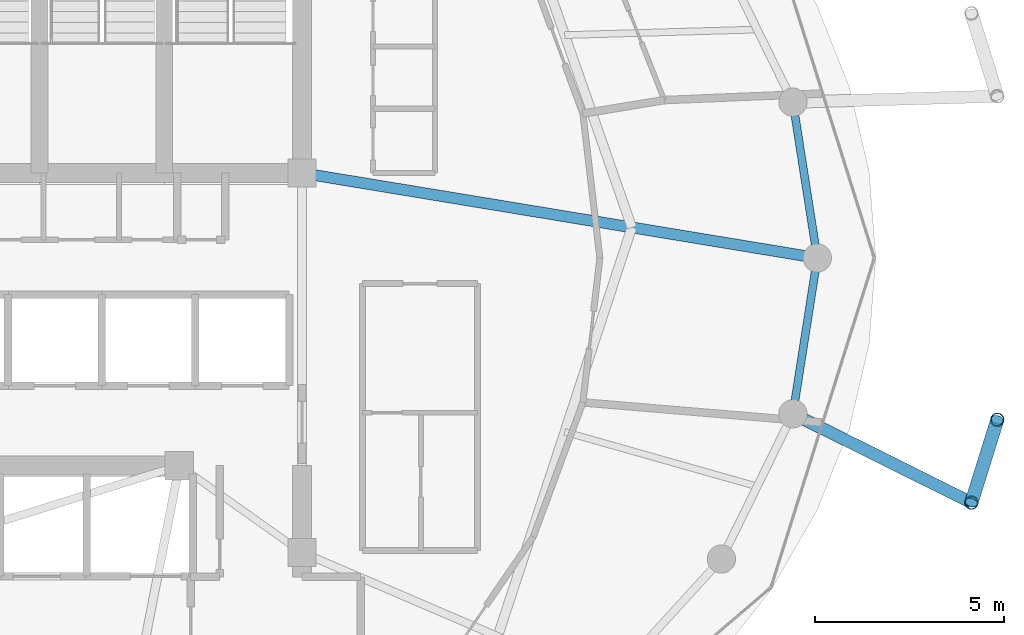
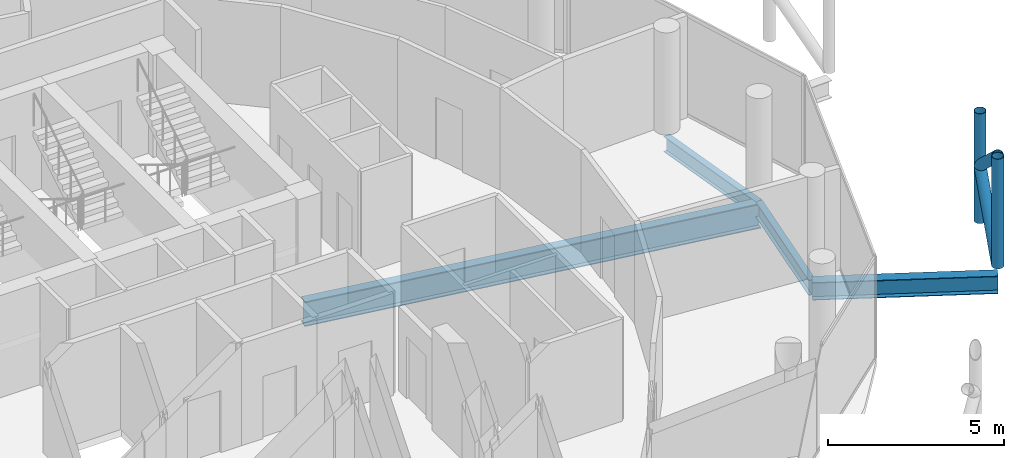
# One storey, part 11 of 24: 4 beams, 4 members.
"""IFC4 building model written with IfcOpenShell, lengths in metres."""

from ifc_helpers import new_model, si_unit, direction, frame, origin, origin_2d, place, context, subcontext, project, spatial, hollow_circle, i_section, extrude, material, material_profile, profile_set, type_object, element, save


model = new_model("IFC4")

# Units and contexts
model_context = context("Model", 3, precision=1e-05, world=origin(), true_north=direction((0.0, 1.0)))
body_context = subcontext(model_context, "Body", "Model", "MODEL_VIEW")
ifc_project = project(units=[si_unit("LENGTHUNIT", "METRE"), si_unit("AREAUNIT", "SQUARE_METRE"), si_unit("VOLUMEUNIT", "CUBIC_METRE"), si_unit("PLANEANGLEUNIT", "RADIAN"), si_unit("MASSUNIT", "GRAM", prefix="KILO")], contexts=[model_context])

# Site, building, storey
site_placement = place(None, origin())
site = spatial("IfcSite", under=ifc_project, at=site_placement, CompositionType="ELEMENT")
building_placement = place(site_placement, origin())
building = spatial("IfcBuilding", under=site, at=building_placement, Name="Nuhasar Tower", CompositionType="ELEMENT")
storey_placement = place(building_placement, frame((0.0, 0.0, 289.800048828125)))
storey = spatial("IfcBuildingStorey", under=building, at=storey_placement, Name="L72", CompositionType="ELEMENT", Elevation=289.800048828125)

# Beams
ifc_material_1 = material(Name="Steel S355", Category="steel")
ifc_material_profile_1 = material_profile(ifc_material_1, i_section(OverallWidth=0.2919921875, OverallDepth=0.85888671875, WebThickness=0.01708984375, FlangeThickness=0.031005859375, at=origin_2d()), Name="W33X169")
ifc_profile_set_1 = profile_set([ifc_material_profile_1], Name="Steel S355")
beam_type_1 = type_object("IfcBeamType", Name="BM-POD-W33X169", PredefinedType="BEAM", material=ifc_profile_set_1)
beam_1_placement = place(storey_placement, frame((44.300048828125, 29.050048828125, -0.68896484375), z_axis=(0.986685215874, -0.162641583786, 0.0), x_axis=(0.162641583786, 0.986685215874, 0.0)))
element("IfcBeam", 1, at=beam_1_placement, inside=storey, type_object=beam_type_1, Name="L72 Radial Floor Girder 04", PredefinedType="BEAM", context=body_context, shape_type="SweptSolid", body=[
    extrude(i_section(OverallWidth=0.2919921875, OverallDepth=0.85888671875, WebThickness=0.01708984375, FlangeThickness=0.031005859375, at=origin_2d()), origin(), (0.0, 0.0, 1.0), 13.833984375),
])
ifc_material_profile_2 = material_profile(ifc_material_1, i_section(OverallWidth=0.2099609375, OverallDepth=0.537109375, WebThickness=0.010986328125, FlangeThickness=0.017333984375, at=origin_2d()), Name="W21X68")
ifc_profile_set_2 = profile_set([ifc_material_profile_2], Name="Steel S355")
beam_type_2 = type_object("IfcBeamType", Name="BM-RING-W21X68", PredefinedType="SPANDREL", material=ifc_profile_set_2)
for number, where, z_axis, x_axis, name in (
    (2, (57.949951171875, 26.800048828125, -0.528076171875), (-0.154612165232, 0.987975241776, 0.0), (-0.987975241776, -0.154612165232, 0.0), "L72 Perimeter Ring Spandrel 01"),
    (3, (57.303955078125, 22.672119140625, -0.528076171875), (0.154612165232, 0.987975241776, 0.0), (-0.987975241776, 0.154612165232, 0.0), "L72 Perimeter Ring Spandrel 24"),
):
    element("IfcBeam", number, at=place(storey_placement, frame(where, z_axis=z_axis, x_axis=x_axis)), inside=storey, type_object=beam_type_2, Name=name, PredefinedType="SPANDREL", context=body_context, shape_type="SweptSolid", body=[
        extrude(i_section(OverallWidth=0.2099609375, OverallDepth=0.537109375, WebThickness=0.010986328125, FlangeThickness=0.017333984375, at=origin_2d()), origin(), (0.0, 0.0, 1.0), 4.17822265625),
    ])
ifc_material_profile_3 = material_profile(ifc_material_1, i_section(OverallWidth=0.323974609375, OverallDepth=0.611083984375, WebThickness=0.0126953125, FlangeThickness=0.01904296875, at=origin_2d()), Name="W24X104")
ifc_profile_set_3 = profile_set([ifc_material_profile_3], Name="Steel S355")
beam_type_3 = type_object("IfcBeamType", Name="BM-TIE-W24X104", PredefinedType="BEAM", material=ifc_profile_set_3)
beam_2_placement = place(storey_placement, frame((57.303955078125, 22.672119140625, -0.56494140625), z_axis=(0.895294451274, -0.445474853969, 0.0), x_axis=(0.445474853969, 0.895294451274, 0.0)))
element("IfcBeam", 4, at=beam_2_placement, inside=storey, type_object=beam_type_3, Name="L72 Exoskeleton Node Tie Beam 12", PredefinedType="BEAM", context=body_context, shape_type="SweptSolid", body=[
    extrude(i_section(OverallWidth=0.323974609375, OverallDepth=0.611083984375, WebThickness=0.0126953125, FlangeThickness=0.01904296875, at=origin_2d()), origin(), (0.0, 0.0, 1.0), 5.281982421875),
])

# Members
ifc_material_2 = material(Name="Steel S460", Category="steel")
ifc_material_profile_4 = material_profile(ifc_material_2, hollow_circle(Radius=0.177734375, WallThickness=0.015869140625, at=origin_2d()), Name="HSS355.6X15.9")
ifc_profile_set_4 = profile_set([ifc_material_profile_4], Name="Steel S460")
member_type = type_object("IfcMemberType", Name="EXO-BRONZE-356", PredefinedType="BRACE", material=ifc_profile_set_4)
for number, where, z_axis, x_axis, name in (
    (5, (62.032958984375, 20.319091796875, 0.0), (0.0, 0.0, 1.0), (1.0, 0.0, 0.0), "L72 Exoskeleton Chord Column EC-12A"),
    (6, (62.718017578125, 22.513916015625, 0.0), (0.0, 0.0, 1.0), (1.0, 0.0, 0.0), "L72 Exoskeleton Chord Column EC-12B"),
):
    element("IfcMember", number, at=place(storey_placement, frame(where, z_axis=z_axis, x_axis=x_axis)), inside=storey, type_object=member_type, Name=name, PredefinedType="BRACE", context=body_context, shape_type="SweptSolid", body=[
        extrude(hollow_circle(Radius=0.177734375, WallThickness=0.015869140625, at=origin_2d()), origin(), (0.0, 0.0, 1.0), 3.800048828125),
    ])
member_1_placement = place(storey_placement, frame((62.032958984375, 20.319091796875, 0.0), z_axis=(0.229681361446, 0.735864376122, 0.636985158507), x_axis=(-0.954581948223, 0.297948492404, 0.0)))
element("IfcMember", 7, at=member_1_placement, inside=storey, type_object=member_type, Name="L72 Bronze Diagrid Brace W1-12", PredefinedType="BRACE", context=body_context, shape_type="SweptSolid", body=[
    extrude(hollow_circle(Radius=0.177734375, WallThickness=0.015869140625, at=origin_2d()), origin(), (0.0, 0.0, 1.0), 2.982666015625),
])
member_2_placement = place(storey_placement, frame((62.718017578125, 22.513916015625, 1.89990234375), z_axis=(-0.229669386127, -0.73582600901, 0.637033796232), x_axis=(0.954581948223, -0.297948492404, 0.0)))
element("IfcMember", 8, at=member_2_placement, inside=storey, type_object=member_type, Name="L72 Bronze Diagrid Brace W2-12", PredefinedType="BRACE", context=body_context, shape_type="SweptSolid", body=[
    extrude(hollow_circle(Radius=0.177734375, WallThickness=0.015869140625, at=origin_2d()), origin(), (0.0, 0.0, 1.0), 2.98291015625),
])

save(model, "model.ifc")
